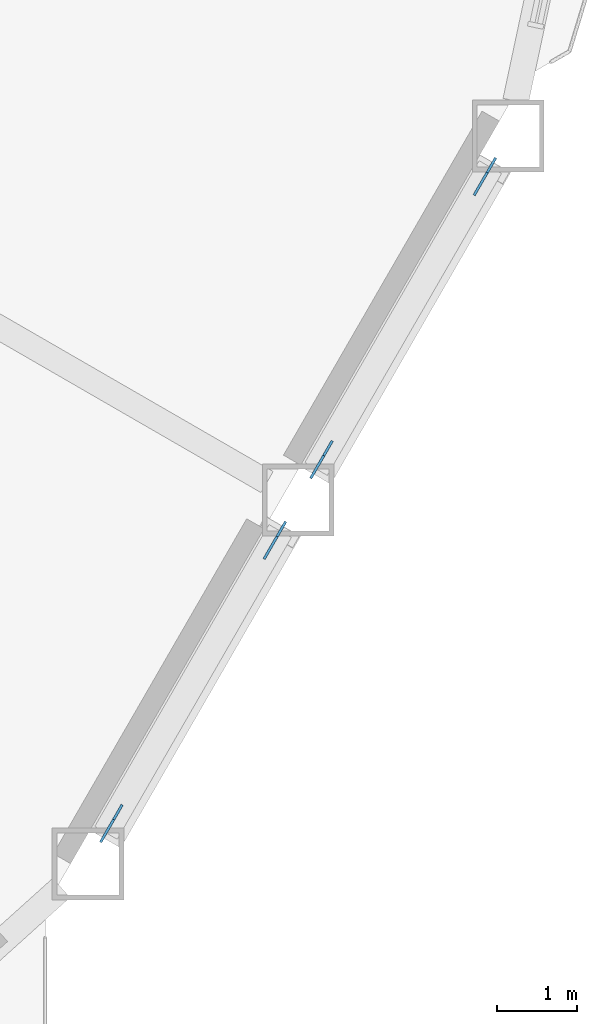
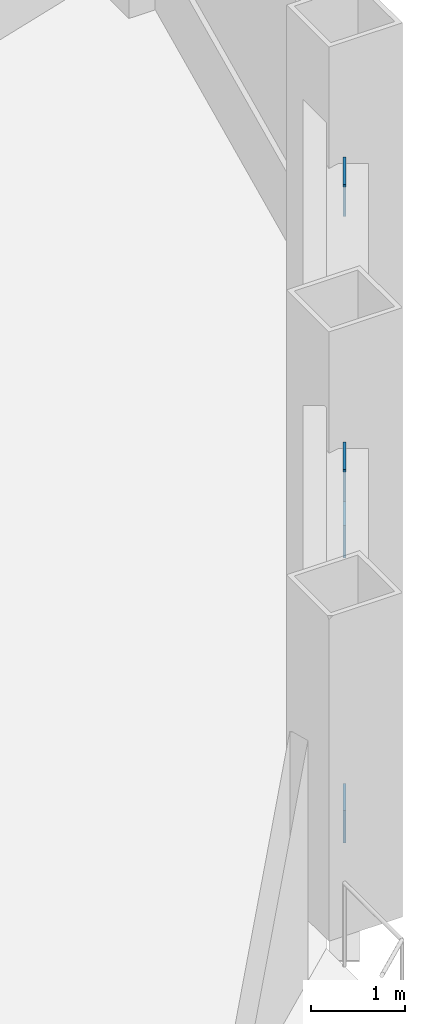
# One storey, part 15 of 21: 4 discrete accessories.
"""IFC4 building model written with IfcOpenShell, lengths in metres."""

from ifc_helpers import new_model, si_unit, direction, frame, origin, origin_2d, place, context, subcontext, project, spatial, rectangle, extrude, material, material_profile, profile_set, type_object, element, save


model = new_model("IFC4")

# Units and contexts
model_context = context("Model", 3, precision=1e-05, world=origin(), true_north=direction((0.0, 1.0)))
body_context = subcontext(model_context, "Body", "Model", "MODEL_VIEW")
ifc_project = project(units=[si_unit("LENGTHUNIT", "METRE"), si_unit("AREAUNIT", "SQUARE_METRE"), si_unit("VOLUMEUNIT", "CUBIC_METRE"), si_unit("PLANEANGLEUNIT", "RADIAN"), si_unit("MASSUNIT", "GRAM", prefix="KILO")], contexts=[model_context])

# Site, building, storey
site_placement = place(None, origin())
site = spatial("IfcSite", under=ifc_project, at=site_placement, CompositionType="ELEMENT")
building_placement = place(site_placement, origin())
building = spatial("IfcBuilding", under=site, at=building_placement, Name="Cormorant Prow Tower", CompositionType="ELEMENT")
storey_placement = place(building_placement, frame((0.0, 0.0, 103.800048828125)))
storey = spatial("IfcBuildingStorey", under=building, at=storey_placement, Name="L21", CompositionType="ELEMENT", Elevation=103.800048828125)

# Discrete accessories
ifc_material = material(Name="Structural steel ASTM A500 Gr C", Category="steel")
ifc_material_profile = material_profile(ifc_material, rectangle(XDim=0.031982421875, YDim=0.60791015625, at=origin_2d()), Name="Gusset plate 32x608")
ifc_profile_set = profile_set([ifc_material_profile], Name="Structural steel ASTM A500 Gr C")
discrete_accessory_type = type_object("IfcDiscreteAccessoryType", Name="Gusset plate 32x608", PredefinedType="BRACKET", material=ifc_profile_set)
discrete_accessory_1_placement = place(storey_placement, frame((25.8740234375, -20.158935546875, 0.88232421875), z_axis=(-0.467903125124, -0.810288273314, -0.352844979601), x_axis=(0.865987003449, -0.500066505434, 0.0)))
element("IfcDiscreteAccessory", 1, at=discrete_accessory_1_placement, inside=storey, type_object=discrete_accessory_type, Name="Gusset plate GP1 L21.ESE00.g0", PredefinedType="BRACKET", context=body_context, shape_type="SweptSolid", body=[
    extrude(rectangle(XDim=0.031982421875, YDim=0.60791015625, at=origin_2d()), origin(), (0.0, 0.0, 1.0), 0.35009765625),
])
discrete_accessory_2_placement = place(storey_placement, frame((27.76025390625, -16.8916015625, 2.306396484375), z_axis=(0.468167615655, 0.810048586848, 0.353044431477), x_axis=(-0.865800459427, 0.500389412813, 0.0)))
element("IfcDiscreteAccessory", 2, at=discrete_accessory_2_placement, inside=storey, type_object=discrete_accessory_type, Name="Gusset plate GP1 L21.ESE00.g1", PredefinedType="BRACKET", context=body_context, shape_type="SweptSolid", body=[
    extrude(rectangle(XDim=0.031982421875, YDim=0.60791015625, at=origin_2d()), origin(), (0.0, 0.0, 1.0), 0.349853515625),
])
for number, where, z_axis, x_axis, name in (
    (3, (28.5087890625, -15.59521484375, 0.88232421875), (-0.467903125124, -0.810288273314, -0.352844979601), (0.865987003449, -0.500066505434, 0.0), "Gusset plate GP1 L21.ESE01.g0"),
    (4, (30.39501953125, -12.328125, 2.306396484375), (0.467903125124, 0.810288273314, 0.352844979601), (-0.865987003449, 0.500066505434, 0.0), "Gusset plate GP1 L21.ESE01.g1"),
):
    element("IfcDiscreteAccessory", number, at=place(storey_placement, frame(where, z_axis=z_axis, x_axis=x_axis)), inside=storey, type_object=discrete_accessory_type, Name=name, PredefinedType="BRACKET", context=body_context, shape_type="SweptSolid", body=[
        extrude(rectangle(XDim=0.031982421875, YDim=0.60791015625, at=origin_2d()), origin(), (0.0, 0.0, 1.0), 0.35009765625),
    ])

save(model, "model.ifc")
